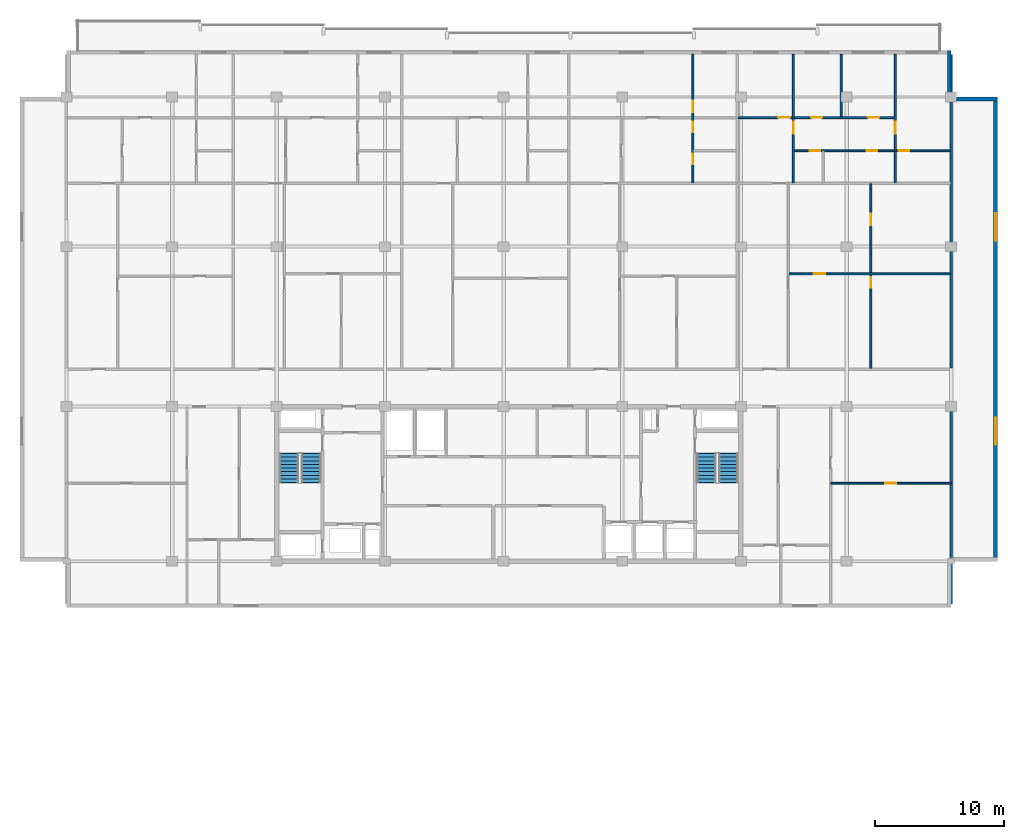
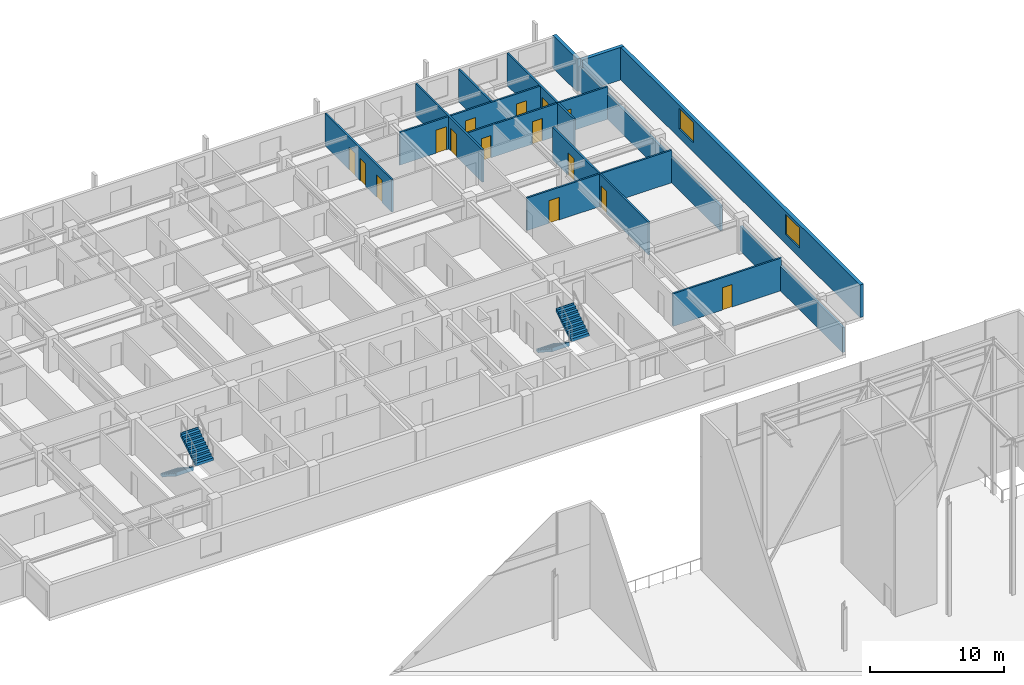
# One storey, part 39 of 42: 15 doors, 15 walls, 4 stair flights, 2 windows, 17 openings, 2 elements without a shape of their own.
"""IFC4 building model written with IfcOpenShell, lengths in metres."""

from ifc_helpers import new_model, si_unit, direction, frame, frame_2d, origin, place, context, subcontext, project, spatial, polyline, rectangle, outline, extrude, material, layer, layer_set, type_object, element, fill, aggregate, save


model = new_model("IFC4")

# Units and contexts
model_context = context("Model", 3, precision=1e-05, world=origin(), true_north=direction((0.0, 1.0)))
body_context = subcontext(model_context, "Body", "Model", "MODEL_VIEW")
ifc_project = project(units=[si_unit("LENGTHUNIT", "METRE"), si_unit("AREAUNIT", "SQUARE_METRE"), si_unit("VOLUMEUNIT", "CUBIC_METRE"), si_unit("PLANEANGLEUNIT", "RADIAN"), si_unit("MASSUNIT", "GRAM", prefix="KILO")], contexts=[model_context])

# Site, building, storey
site_placement = place(None, origin())
site = spatial("IfcSite", under=ifc_project, at=site_placement, CompositionType="ELEMENT")
building_placement = place(site_placement, origin())
building = spatial("IfcBuilding", under=site, at=building_placement, Name="Korimba Cascade Residences", CompositionType="ELEMENT")
storey_placement = place(building_placement, frame((0.0, 0.0, 207.60009765625)))
storey = spatial("IfcBuildingStorey", under=building, at=storey_placement, Name="L60", CompositionType="ELEMENT", Elevation=207.60009765625)

# Wall, openings, windows
ifc_material_1 = material(Name="Precast concrete C40/50", Category="concrete")
ifc_layer_1 = layer(ifc_material_1, 0.300048828125)
ifc_layer_set_1 = layer_set([ifc_layer_1], Name="Precast concrete C40/50")
wall_type_1 = type_object("IfcWallType", Name="EW-STONE-300", PredefinedType="STANDARD", material=ifc_layer_set_1)
wall_1_placement = place(storey_placement, frame((131.85009765625, 55.199951171875, 0.0), z_axis=(0.0, 0.0, 1.0), x_axis=(0.0, 1.0, 0.0)))
wall_1 = element("IfcWall", 1, at=wall_1_placement, inside=storey, type_object=wall_type_1, Name="L60 T1 Perimeter Stone Wall E03", PredefinedType="STANDARD", context=body_context, shape_type="SweptSolid", body=[
    extrude(rectangle(XDim=36.0, YDim=0.300048828125, at=frame_2d((18.0, 0.0))), origin(), (0.0, 0.0, 1.0), 2.969970703125),
])
opening_1_placement = place(wall_1_placement, frame((9.030029296875, 0.0, 0.85009765625)))
opening_1 = element("IfcOpeningElement", 2, at=opening_1_placement, cuts=wall_1, Name="Opening W-03", PredefinedType="OPENING", context=body_context, shape_type="SweptSolid", body=[
    extrude(rectangle(XDim=2.10009765625, YDim=1.85009765625, at=frame_2d((1.050048828125, 0.925048828125))), frame((0.0, 0.16015625, 0.0), z_axis=(0.0, -1.0, 0.0), x_axis=(1.0, 0.0, 0.0)), (0.0, 0.0, 1.0), 0.320068359375),
])
opening_2_placement = place(wall_1_placement, frame((24.8701171875, 0.0, 0.85009765625)))
opening_2 = element("IfcOpeningElement", 3, at=opening_2_placement, cuts=wall_1, Name="Opening W-03", PredefinedType="OPENING", context=body_context, shape_type="SweptSolid", body=[
    extrude(rectangle(XDim=2.10009765625, YDim=1.85009765625, at=frame_2d((1.050048828125, 0.925048828125))), frame((0.0, 0.16015625, 0.0), z_axis=(0.0, -1.0, 0.0), x_axis=(1.0, 0.0, 0.0)), (0.0, 0.0, 1.0), 0.320068359375),
])
ifc_material_2 = material(Name="Double-Glazed Aluminium Window", Category="aluminium")
window_type = type_object("IfcWindowType", Name="WIN-CRN-2100", PartitioningType="DOUBLE_PANEL_HORIZONTAL", PredefinedType="WINDOW", material=ifc_material_2)
window_1_placement = place(opening_1_placement, origin())
window_1 = element("IfcWindow", 4, at=window_1_placement, inside=storey, type_object=window_type, Name="L60 T1 End View Window 3.1", OverallHeight=1.85009765625, OverallWidth=2.10009765625, PartitioningType="DOUBLE_PANEL_HORIZONTAL", PredefinedType="WINDOW", context=body_context, shape_type="SweptSolid", body=[
    extrude(rectangle(XDim=2.10009765625, YDim=1.85009765625, at=frame_2d((1.050048828125, 0.925048828125))), frame((0.0, 0.030029296875, 0.0), z_axis=(0.0, -1.0, 0.0), x_axis=(1.0, 0.0, 0.0)), (0.0, 0.0, 1.0), 0.06005859375),
])
fill(opening_1, window_1)
window_2_placement = place(opening_2_placement, origin())
window_2 = element("IfcWindow", 5, at=window_2_placement, inside=storey, type_object=window_type, Name="L60 T1 End View Window 3.2", OverallHeight=1.85009765625, OverallWidth=2.10009765625, PartitioningType="DOUBLE_PANEL_HORIZONTAL", PredefinedType="WINDOW", context=body_context, shape_type="SweptSolid", body=[
    extrude(rectangle(XDim=2.10009765625, YDim=1.85009765625, at=frame_2d((1.050048828125, 0.925048828125))), frame((0.0, 0.030029296875, 0.0), z_axis=(0.0, -1.0, 0.0), x_axis=(1.0, 0.0, 0.0)), (0.0, 0.0, 1.0), 0.06005859375),
])
fill(opening_2, window_2)

# Walls
for number, where, z_axis, x_axis, name in (
    (6, (132.0, 91.050048828125, 0.0), (0.0, 0.0, 1.0), (-1.0, 0.0, 0.0), "L60 T1 Perimeter Stone Wall E04"),
    (7, (128.25, 91.199951171875, 0.0), (0.0, 0.0, 1.0), (0.0, 1.0, 0.0), "L60 T1 Perimeter Stone Wall E05"),
):
    element("IfcWall", number, at=place(storey_placement, frame(where, z_axis=z_axis, x_axis=x_axis)), inside=storey, type_object=wall_type_1, Name=name, PredefinedType="STANDARD", context=body_context, shape_type="SweptSolid", body=[
        extrude(rectangle(XDim=3.60009765625, YDim=0.300048828125, at=frame_2d((1.800048828125, 0.0))), origin(), (0.0, 0.0, 1.0), 2.969970703125),
    ])
ifc_layer_2 = layer(ifc_material_1, 0.199951171875)
ifc_layer_set_2 = layer_set([ifc_layer_2], Name="Precast concrete C40/50")
wall_type_2 = type_object("IfcWallType", Name="WAL-IT-200", PredefinedType="PARTITIONING", material=ifc_layer_set_2)
wall_2_placement = place(storey_placement, frame((128.39990234375, 51.89990234375, 0.0), z_axis=(0.0, 0.0, 1.0), x_axis=(0.0, 1.0, 0.0)))
element("IfcWall", 8, at=wall_2_placement, inside=storey, type_object=wall_type_2, Name="L60 Partition Wall WAL-L60-T1-FE-WR", PredefinedType="PARTITIONING", context=body_context, shape_type="SweptSolid", body=[
    extrude(rectangle(XDim=15.300048828125, YDim=0.199951171875, at=frame_2d((7.64990234375, 0.0))), origin(), (0.0, 0.0, 1.0), 2.277099609375),
])
wall_3_placement = place(storey_placement, frame((128.39990234375, 70.179931640625, 0.0), z_axis=(0.0, 0.0, 1.0), x_axis=(0.0, 1.0, 0.0)))
element("IfcWall", 9, at=wall_3_placement, inside=storey, type_object=wall_type_2, Name="L60 Partition Wall WAL-L60-T1-BNDWR", PredefinedType="PARTITIONING", context=body_context, shape_type="SweptSolid", body=[
    extrude(rectangle(XDim=24.320068359375, YDim=0.199951171875, at=frame_2d((12.16015625, 0.0))), origin(), (0.0, 0.0, 1.0), 2.277099609375),
])

# Wall, opening, door
ifc_material_3 = material(Name="Insulated Acoustic Stud Partition", Category="gypsum")
ifc_layer_3 = layer(ifc_material_3, 0.14990234375)
ifc_layer_set_3 = layer_set([ifc_layer_3], Name="Insulated Acoustic Stud Partition")
wall_type_3 = type_object("IfcWallType", Name="WAL-PART-150", PredefinedType="PARTITIONING", material=ifc_layer_set_3)
wall_4_placement = place(storey_placement, frame((119.050048828125, 61.25, 0.0), z_axis=(0.0, 0.0, 1.0), x_axis=(1.0, 0.0, 0.0)))
wall_4 = element("IfcWall", 10, at=wall_4_placement, inside=storey, type_object=wall_type_3, Name="L60 Partition Wall WAL-L60-T1-FE-STH", PredefinedType="PARTITIONING", context=body_context, shape_type="SweptSolid", body=[
    extrude(rectangle(XDim=9.349853515625, YDim=0.14990234375, at=frame_2d((4.6748046875, 0.0))), origin(), (0.0, 0.0, 1.0), 2.969970703125),
])
opening_3_placement = place(wall_4_placement, frame((4.2548828125, 0.0, 0.0)))
opening_3 = element("IfcOpeningElement", 11, at=opening_3_placement, cuts=wall_4, Name="Opening D-BT1", PredefinedType="OPENING", context=body_context, shape_type="SweptSolid", body=[
    extrude(rectangle(XDim=0.840087890625, YDim=2.0400390625, at=frame_2d((0.419921875, 1.02001953125))), frame((0.0, 0.0849609375, 0.0), z_axis=(0.0, -1.0, 0.0), x_axis=(1.0, 0.0, 0.0)), (0.0, 0.0, 1.0), 0.169921875),
])
ifc_material_4 = material(Name="Moisture-Resistant Bathroom Timber Door", Category="wood")
door_type_1 = type_object("IfcDoorType", Name="DR-INT-850", OperationType="NOTDEFINED", PredefinedType="DOOR", material=ifc_material_4)
door_1_placement = place(opening_3_placement, origin())
door_1 = element("IfcDoor", 12, at=door_1_placement, inside=storey, type_object=door_type_1, Name="L60-T1-FE Dressing Store Door", OperationType="SINGLE_SWING_LEFT", OverallHeight=2.0400390625, OverallWidth=0.840087890625, PredefinedType="DOOR", context=body_context, shape_type="SweptSolid", body=[
    extrude(rectangle(XDim=0.840087890625, YDim=2.0400390625, at=frame_2d((0.419921875, 1.02001953125))), frame((0.0, 0.02490234375, 0.0), z_axis=(0.0, -1.0, 0.0), x_axis=(1.0, 0.0, 0.0)), (0.0, 0.0, 1.0), 0.050048828125),
])
fill(opening_3, door_1)

# Wall, openings, doors
wall_5_placement = place(storey_placement, frame((108.3798828125, 84.5400390625, 0.0), z_axis=(0.0, 0.0, 1.0), x_axis=(0.0, 1.0, 0.0)))
wall_5 = element("IfcWall", 13, at=wall_5_placement, inside=storey, type_object=wall_type_3, Name="L60 Partition Wall WAL-L60-T1-U04-V1", PredefinedType="PARTITIONING", context=body_context, shape_type="SweptSolid", body=[
    extrude(rectangle(XDim=9.9599609375, YDim=0.14990234375, at=frame_2d((4.97998046875, 0.0))), origin(), (0.0, 0.0, 1.0), 2.969970703125),
])
opening_4_placement = place(wall_5_placement, frame((1.430419921875, 0.0, 0.0)))
opening_4 = element("IfcOpeningElement", 14, at=opening_4_placement, cuts=wall_5, Name="Opening D-BT1", PredefinedType="OPENING", context=body_context, shape_type="SweptSolid", body=[
    extrude(rectangle(XDim=0.840087890625, YDim=2.0400390625, at=frame_2d((0.419921875, 1.02001953125))), frame((0.0, 0.0849609375, 0.0), z_axis=(0.0, -1.0, 0.0), x_axis=(1.0, 0.0, 0.0)), (0.0, 0.0, 1.0), 0.169921875),
])
opening_5_placement = place(wall_5_placement, frame((3.919921875, 0.0, 0.0)))
opening_5 = element("IfcOpeningElement", 15, at=opening_5_placement, cuts=wall_5, Name="Opening D-BT1", PredefinedType="OPENING", context=body_context, shape_type="SweptSolid", body=[
    extrude(rectangle(XDim=0.840087890625, YDim=2.0400390625, at=frame_2d((0.419921875, 1.02001953125))), frame((0.0, 0.0849609375, 0.0), z_axis=(0.0, -1.0, 0.0), x_axis=(1.0, 0.0, 0.0)), (0.0, 0.0, 1.0), 0.169921875),
])
opening_6_placement = place(wall_5_placement, frame((5.47998046875, 0.0, 0.0)))
opening_6 = element("IfcOpeningElement", 16, at=opening_6_placement, cuts=wall_5, Name="Opening D-IN2", PredefinedType="OPENING", context=body_context, shape_type="SweptSolid", body=[
    extrude(rectangle(XDim=0.8798828125, YDim=2.06005859375, at=frame_2d((0.43994140625, 1.030029296875))), frame((0.0, 0.0849609375, 0.0), z_axis=(0.0, -1.0, 0.0), x_axis=(1.0, 0.0, 0.0)), (0.0, 0.0, 1.0), 0.169921875),
])
door_2_placement = place(opening_4_placement, origin())
door_2 = element("IfcDoor", 17, at=door_2_placement, inside=storey, type_object=door_type_1, Name="L60-T1-U04 Bathroom Door", OperationType="SINGLE_SWING_RIGHT", OverallHeight=2.0400390625, OverallWidth=0.840087890625, PredefinedType="DOOR", context=body_context, shape_type="SweptSolid", body=[
    extrude(rectangle(XDim=0.840087890625, YDim=2.0400390625, at=frame_2d((0.419921875, 1.02001953125))), frame((0.0, 0.02490234375, 0.0), z_axis=(0.0, -1.0, 0.0), x_axis=(1.0, 0.0, 0.0)), (0.0, 0.0, 1.0), 0.050048828125),
])
fill(opening_4, door_2)
door_3_placement = place(opening_5_placement, origin())
door_3 = element("IfcDoor", 18, at=door_3_placement, inside=storey, type_object=door_type_1, Name="L60-T1-U04 Laundry Door", OperationType="SINGLE_SWING_LEFT", OverallHeight=2.0400390625, OverallWidth=0.840087890625, PredefinedType="DOOR", context=body_context, shape_type="SweptSolid", body=[
    extrude(rectangle(XDim=0.840087890625, YDim=2.0400390625, at=frame_2d((0.419921875, 1.02001953125))), frame((0.0, 0.02490234375, 0.0), z_axis=(0.0, -1.0, 0.0), x_axis=(1.0, 0.0, 0.0)), (0.0, 0.0, 1.0), 0.050048828125),
])
fill(opening_5, door_3)
ifc_material_5 = material(Name="Acoustic Timber Bedroom Door", Category="wood")
door_type_2 = type_object("IfcDoorType", Name="DR-INT-880", OperationType="NOTDEFINED", PredefinedType="DOOR", material=ifc_material_5)
door_4_placement = place(opening_6_placement, origin())
door_4 = element("IfcDoor", 19, at=door_4_placement, inside=storey, type_object=door_type_2, Name="L60-T1-U04 Bedroom 1 Door", OperationType="SINGLE_SWING_RIGHT", OverallHeight=2.06005859375, OverallWidth=0.8798828125, PredefinedType="DOOR", context=body_context, shape_type="SweptSolid", body=[
    extrude(rectangle(XDim=0.8798828125, YDim=2.06005859375, at=frame_2d((0.43994140625, 1.030029296875))), frame((0.0, 0.02490234375, 0.0), z_axis=(0.0, -1.0, 0.0), x_axis=(1.0, 0.0, 0.0)), (0.0, 0.0, 1.0), 0.050048828125),
])
fill(opening_6, door_4)

wall_6_placement = place(storey_placement, frame((122.175048828125, 70.159912109375, 0.0), z_axis=(0.0, 0.0, 1.0), x_axis=(0.0, 1.0, 0.0)))
wall_6 = element("IfcWall", 20, at=wall_6_placement, inside=storey, type_object=wall_type_3, Name="L60 Partition Wall WAL-L60-T1-U05-FMV", PredefinedType="PARTITIONING", context=body_context, shape_type="SweptSolid", body=[
    extrude(rectangle(XDim=14.300048828125, YDim=0.14990234375, at=frame_2d((7.14990234375, 0.0))), origin(), (0.0, 0.0, 1.0), 2.969970703125),
])
opening_7_placement = place(wall_6_placement, frame((6.239990234375, 0.0, 0.0)))
opening_7 = element("IfcOpeningElement", 21, at=opening_7_placement, cuts=wall_6, Name="Opening D-BT1", PredefinedType="OPENING", context=body_context, shape_type="SweptSolid", body=[
    extrude(rectangle(XDim=0.840087890625, YDim=2.0400390625, at=frame_2d((0.419921875, 1.02001953125))), frame((0.0, 0.0849609375, 0.0), z_axis=(0.0, -1.0, 0.0), x_axis=(1.0, 0.0, 0.0)), (0.0, 0.0, 1.0), 0.169921875),
])
opening_8_placement = place(wall_6_placement, frame((11.093505859375, 0.0, 0.0)))
opening_8 = element("IfcOpeningElement", 22, at=opening_8_placement, cuts=wall_6, Name="Opening D-IN2", PredefinedType="OPENING", context=body_context, shape_type="SweptSolid", body=[
    extrude(rectangle(XDim=0.8798828125, YDim=2.06005859375, at=frame_2d((0.43994140625, 1.030029296875))), frame((0.0, 0.0849609375, 0.0), z_axis=(0.0, -1.0, 0.0), x_axis=(1.0, 0.0, 0.0)), (0.0, 0.0, 1.0), 0.169921875),
])
door_5_placement = place(opening_7_placement, origin())
door_5 = element("IfcDoor", 23, at=door_5_placement, inside=storey, type_object=door_type_1, Name="L60-T1-U05 Wardrobe Door", OperationType="SINGLE_SWING_LEFT", OverallHeight=2.0400390625, OverallWidth=0.840087890625, PredefinedType="DOOR", context=body_context, shape_type="SweptSolid", body=[
    extrude(rectangle(XDim=0.840087890625, YDim=2.0400390625, at=frame_2d((0.419921875, 1.02001953125))), frame((0.0, 0.02490234375, 0.0), z_axis=(0.0, -1.0, 0.0), x_axis=(1.0, 0.0, 0.0)), (0.0, 0.0, 1.0), 0.050048828125),
])
fill(opening_7, door_5)
door_6_placement = place(opening_8_placement, origin())
door_6 = element("IfcDoor", 24, at=door_6_placement, inside=storey, type_object=door_type_2, Name="L60-T1-U05 Music Lounge Door", OperationType="SINGLE_SWING_RIGHT", OverallHeight=2.06005859375, OverallWidth=0.8798828125, PredefinedType="DOOR", context=body_context, shape_type="SweptSolid", body=[
    extrude(rectangle(XDim=0.8798828125, YDim=2.06005859375, at=frame_2d((0.43994140625, 1.030029296875))), frame((0.0, 0.02490234375, 0.0), z_axis=(0.0, -1.0, 0.0), x_axis=(1.0, 0.0, 0.0)), (0.0, 0.0, 1.0), 0.050048828125),
])
fill(opening_8, door_6)

# Wall, opening, door
wall_7_placement = place(storey_placement, frame((115.830078125, 77.489990234375, 0.0), z_axis=(0.0, 0.0, 1.0), x_axis=(1.0, 0.0, 0.0)))
wall_7 = element("IfcWall", 25, at=wall_7_placement, inside=storey, type_object=wall_type_3, Name="L60 Partition Wall WAL-L60-T1-U05-FMH", PredefinedType="PARTITIONING", context=body_context, shape_type="SweptSolid", body=[
    extrude(rectangle(XDim=12.489990234375, YDim=0.14990234375, at=frame_2d((6.2451171875, 0.0))), origin(), (0.0, 0.0, 1.0), 2.969970703125),
])
opening_9_placement = place(wall_7_placement, frame((1.91650390625, 0.0, 0.0)))
opening_9 = element("IfcOpeningElement", 26, at=opening_9_placement, cuts=wall_7, Name="Opening D-IN2", PredefinedType="OPENING", context=body_context, shape_type="SweptSolid", body=[
    extrude(rectangle(XDim=0.8798828125, YDim=2.06005859375, at=frame_2d((0.43994140625, 1.030029296875))), frame((0.0, 0.0849609375, 0.0), z_axis=(0.0, -1.0, 0.0), x_axis=(1.0, 0.0, 0.0)), (0.0, 0.0, 1.0), 0.169921875),
])
door_7_placement = place(opening_9_placement, origin())
door_7 = element("IfcDoor", 27, at=door_7_placement, inside=storey, type_object=door_type_2, Name="L60-T1-U05 Library Salon Door", OperationType="SINGLE_SWING_LEFT", OverallHeight=2.06005859375, OverallWidth=0.8798828125, PredefinedType="DOOR", context=body_context, shape_type="SweptSolid", body=[
    extrude(rectangle(XDim=0.8798828125, YDim=2.06005859375, at=frame_2d((0.43994140625, 1.030029296875))), frame((0.0, 0.02490234375, 0.0), z_axis=(0.0, -1.0, 0.0), x_axis=(1.0, 0.0, 0.0)), (0.0, 0.0, 1.0), 0.050048828125),
])
fill(opening_9, door_7)

# Wall
wall_8_placement = place(storey_placement, frame((119.8701171875, 89.679931640625, 0.0), z_axis=(0.0, 0.0, 1.0), x_axis=(0.0, 1.0, 0.0)))
element("IfcWall", 28, at=wall_8_placement, inside=storey, type_object=wall_type_3, Name="L60 Partition Wall WAL-L60-T1-U05-VSTD", PredefinedType="PARTITIONING", context=body_context, shape_type="SweptSolid", body=[
    extrude(rectangle(XDim=4.820068359375, YDim=0.14990234375, at=frame_2d((2.41015625, 0.0))), origin(), (0.0, 0.0, 1.0), 2.969970703125),
])

# Wall, opening, door
wall_9_placement = place(storey_placement, frame((116.169921875, 84.5400390625, 0.0), z_axis=(0.0, 0.0, 1.0), x_axis=(0.0, 1.0, 0.0)))
wall_9 = element("IfcWall", 29, at=wall_9_placement, inside=storey, type_object=wall_type_3, Name="L60 Partition Wall WAL-L60-T1-U05-V1", PredefinedType="PARTITIONING", context=body_context, shape_type="SweptSolid", body=[
    extrude(rectangle(XDim=9.9599609375, YDim=0.14990234375, at=frame_2d((4.97998046875, 0.0))), origin(), (0.0, 0.0, 1.0), 2.969970703125),
])
opening_10_placement = place(wall_9_placement, frame((3.820068359375, 0.0, 0.0)))
opening_10 = element("IfcOpeningElement", 30, at=opening_10_placement, cuts=wall_9, Name="Opening D-IN1", PredefinedType="OPENING", context=body_context, shape_type="SweptSolid", body=[
    extrude(rectangle(XDim=0.919921875, YDim=2.080078125, at=frame_2d((0.4599609375, 1.0400390625))), frame((0.0, 0.0849609375, 0.0), z_axis=(0.0, -1.0, 0.0), x_axis=(1.0, 0.0, 0.0)), (0.0, 0.0, 1.0), 0.169921875),
])
ifc_material_6 = material(Name="Acoustic Timber Living Door", Category="wood")
door_type_3 = type_object("IfcDoorType", Name="DR-INT-920", OperationType="NOTDEFINED", PredefinedType="DOOR", material=ifc_material_6)
door_8_placement = place(opening_10_placement, origin())
door_8 = element("IfcDoor", 31, at=door_8_placement, inside=storey, type_object=door_type_3, Name="L60-T1-U05 Hallway Door", OperationType="SINGLE_SWING_LEFT", OverallHeight=2.080078125, OverallWidth=0.919921875, PredefinedType="DOOR", context=body_context, shape_type="SweptSolid", body=[
    extrude(rectangle(XDim=0.919921875, YDim=2.080078125, at=frame_2d((0.4599609375, 1.0400390625))), frame((0.0, 0.02490234375, 0.0), z_axis=(0.0, -1.0, 0.0), x_axis=(1.0, 0.0, 0.0)), (0.0, 0.0, 1.0), 0.050048828125),
])
fill(opening_10, door_8)

# Wall
wall_10_placement = place(storey_placement, frame((124.070068359375, 84.5400390625, 0.0), z_axis=(0.0, 0.0, 1.0), x_axis=(0.0, 1.0, 0.0)))
element("IfcWall", 32, at=wall_10_placement, inside=storey, type_object=wall_type_3, Name="L60 Partition Wall WAL-L60-T1-U05-VBATH", PredefinedType="PARTITIONING", context=body_context, shape_type="SweptSolid", body=[
    extrude(rectangle(XDim=2.469970703125, YDim=0.14990234375, at=frame_2d((1.23486328125, 0.0))), origin(), (0.0, 0.0, 1.0), 2.969970703125),
])

# Wall, opening, door
wall_11_placement = place(storey_placement, frame((124.070068359375, 87.050048828125, 0.0), z_axis=(0.0, 0.0, 1.0), x_axis=(0.0, 1.0, 0.0)))
wall_11 = element("IfcWall", 33, at=wall_11_placement, inside=storey, type_object=wall_type_3, Name="L60 Partition Wall WAL-L60-T1-U05-V2FULL", PredefinedType="PARTITIONING", context=body_context, shape_type="SweptSolid", body=[
    extrude(rectangle(XDim=7.449951171875, YDim=0.14990234375, at=frame_2d((3.72509765625, 0.0))), origin(), (0.0, 0.0, 1.0), 2.969970703125),
])
opening_11_placement = place(wall_11_placement, frame((1.31005859375, 0.0, 0.0)))
opening_11 = element("IfcOpeningElement", 34, at=opening_11_placement, cuts=wall_11, Name="Opening D-IN1", PredefinedType="OPENING", context=body_context, shape_type="SweptSolid", body=[
    extrude(rectangle(XDim=0.919921875, YDim=2.080078125, at=frame_2d((0.4599609375, 1.0400390625))), frame((0.0, 0.0849609375, 0.0), z_axis=(0.0, -1.0, 0.0), x_axis=(1.0, 0.0, 0.0)), (0.0, 0.0, 1.0), 0.169921875),
])
door_9_placement = place(opening_11_placement, origin())
door_9 = element("IfcDoor", 35, at=door_9_placement, inside=storey, type_object=door_type_3, Name="L60-T1-U05 Master Bedroom Door", OperationType="SINGLE_SWING_RIGHT", OverallHeight=2.080078125, OverallWidth=0.919921875, PredefinedType="DOOR", context=body_context, shape_type="SweptSolid", body=[
    extrude(rectangle(XDim=0.919921875, YDim=2.080078125, at=frame_2d((0.4599609375, 1.0400390625))), frame((0.0, 0.02490234375, 0.0), z_axis=(0.0, -1.0, 0.0), x_axis=(1.0, 0.0, 0.0)), (0.0, 0.0, 1.0), 0.050048828125),
])
fill(opening_11, door_9)

# Wall, openings, doors
wall_12_placement = place(storey_placement, frame((116.2099609375, 87.030029296875, 0.0), z_axis=(0.0, 0.0, 1.0), x_axis=(1.0, 0.0, 0.0)))
wall_12 = element("IfcWall", 36, at=wall_12_placement, inside=storey, type_object=wall_type_3, Name="L60 Partition Wall WAL-L60-T1-U05-HWALL", PredefinedType="PARTITIONING", context=body_context, shape_type="SweptSolid", body=[
    extrude(rectangle(XDim=12.110107421875, YDim=0.14990234375, at=frame_2d((6.05517578125, 0.0))), origin(), (0.0, 0.0, 1.0), 2.969970703125),
])
opening_12_placement = place(wall_12_placement, frame((1.2099609375, 0.0, 0.0)))
opening_12 = element("IfcOpeningElement", 37, at=opening_12_placement, cuts=wall_12, Name="Opening D-BT1", PredefinedType="OPENING", context=body_context, shape_type="SweptSolid", body=[
    extrude(rectangle(XDim=0.840087890625, YDim=2.0400390625, at=frame_2d((0.419921875, 1.02001953125))), frame((0.0, 0.0849609375, 0.0), z_axis=(0.0, -1.0, 0.0), x_axis=(1.0, 0.0, 0.0)), (0.0, 0.0, 1.0), 0.169921875),
])
opening_13_placement = place(wall_12_placement, frame((5.635009765625, 0.0, 0.0)))
opening_13 = element("IfcOpeningElement", 38, at=opening_13_placement, cuts=wall_12, Name="Opening D-BT1", PredefinedType="OPENING", context=body_context, shape_type="SweptSolid", body=[
    extrude(rectangle(XDim=0.840087890625, YDim=2.0400390625, at=frame_2d((0.419921875, 1.02001953125))), frame((0.0, 0.0849609375, 0.0), z_axis=(0.0, -1.0, 0.0), x_axis=(1.0, 0.0, 0.0)), (0.0, 0.0, 1.0), 0.169921875),
])
opening_14_placement = place(wall_12_placement, frame((8.110107421875, 0.0, 0.0)))
opening_14 = element("IfcOpeningElement", 39, at=opening_14_placement, cuts=wall_12, Name="Opening D-BT1", PredefinedType="OPENING", context=body_context, shape_type="SweptSolid", body=[
    extrude(rectangle(XDim=0.840087890625, YDim=2.0400390625, at=frame_2d((0.419921875, 1.02001953125))), frame((0.0, 0.0849609375, 0.0), z_axis=(0.0, -1.0, 0.0), x_axis=(1.0, 0.0, 0.0)), (0.0, 0.0, 1.0), 0.169921875),
])
door_10_placement = place(opening_12_placement, origin())
door_10 = element("IfcDoor", 40, at=door_10_placement, inside=storey, type_object=door_type_1, Name="L60-T1-U05 Family Bathroom Door", OperationType="SINGLE_SWING_LEFT", OverallHeight=2.0400390625, OverallWidth=0.840087890625, PredefinedType="DOOR", context=body_context, shape_type="SweptSolid", body=[
    extrude(rectangle(XDim=0.840087890625, YDim=2.0400390625, at=frame_2d((0.419921875, 1.02001953125))), frame((0.0, 0.02490234375, 0.0), z_axis=(0.0, -1.0, 0.0), x_axis=(1.0, 0.0, 0.0)), (0.0, 0.0, 1.0), 0.050048828125),
])
fill(opening_12, door_10)
door_11_placement = place(opening_13_placement, origin())
door_11 = element("IfcDoor", 41, at=door_11_placement, inside=storey, type_object=door_type_1, Name="L60-T1-U05 Dressing Room Door", OperationType="SINGLE_SWING_RIGHT", OverallHeight=2.0400390625, OverallWidth=0.840087890625, PredefinedType="DOOR", context=body_context, shape_type="SweptSolid", body=[
    extrude(rectangle(XDim=0.840087890625, YDim=2.0400390625, at=frame_2d((0.419921875, 1.02001953125))), frame((0.0, 0.02490234375, 0.0), z_axis=(0.0, -1.0, 0.0), x_axis=(1.0, 0.0, 0.0)), (0.0, 0.0, 1.0), 0.050048828125),
])
fill(opening_13, door_11)
door_12_placement = place(opening_14_placement, origin())
door_12 = element("IfcDoor", 42, at=door_12_placement, inside=storey, type_object=door_type_1, Name="L60-T1-U05 En-Suite Door", OperationType="SINGLE_SWING_LEFT", OverallHeight=2.0400390625, OverallWidth=0.840087890625, PredefinedType="DOOR", context=body_context, shape_type="SweptSolid", body=[
    extrude(rectangle(XDim=0.840087890625, YDim=2.0400390625, at=frame_2d((0.419921875, 1.02001953125))), frame((0.0, 0.02490234375, 0.0), z_axis=(0.0, -1.0, 0.0), x_axis=(1.0, 0.0, 0.0)), (0.0, 0.0, 1.0), 0.050048828125),
])
fill(opening_14, door_12)

wall_13_placement = place(storey_placement, frame((111.8798828125, 89.60009765625, 0.0), z_axis=(0.0, 0.0, 1.0), x_axis=(1.0, 0.0, 0.0)))
wall_13 = element("IfcWall", 43, at=wall_13_placement, inside=storey, type_object=wall_type_3, Name="L60 Partition Wall WAL-L60-T1-U05-HZ", PredefinedType="PARTITIONING", context=body_context, shape_type="SweptSolid", body=[
    extrude(rectangle(XDim=12.190185546875, YDim=0.14990234375, at=frame_2d((6.09521484375, 0.0))), origin(), (0.0, 0.0, 1.0), 2.969970703125),
])
opening_15_placement = place(wall_13_placement, frame((3.10009765625, 0.0, 0.0)))
opening_15 = element("IfcOpeningElement", 44, at=opening_15_placement, cuts=wall_13, Name="Opening D-IN0", PredefinedType="OPENING", context=body_context, shape_type="SweptSolid", body=[
    extrude(rectangle(XDim=0.93994140625, YDim=2.10009765625, at=frame_2d((0.469970703125, 1.050048828125))), frame((0.0, 0.0849609375, 0.0), z_axis=(0.0, -1.0, 0.0), x_axis=(1.0, 0.0, 0.0)), (0.0, 0.0, 1.0), 0.169921875),
])
opening_16_placement = place(wall_13_placement, frame((5.655029296875, 0.0, 0.0)))
opening_16 = element("IfcOpeningElement", 45, at=opening_16_placement, cuts=wall_13, Name="Opening D-IN2", PredefinedType="OPENING", context=body_context, shape_type="SweptSolid", body=[
    extrude(rectangle(XDim=0.8798828125, YDim=2.06005859375, at=frame_2d((0.43994140625, 1.030029296875))), frame((0.0, 0.0849609375, 0.0), z_axis=(0.0, -1.0, 0.0), x_axis=(1.0, 0.0, 0.0)), (0.0, 0.0, 1.0), 0.169921875),
])
opening_17_placement = place(wall_13_placement, frame((10.05322265625, 0.0, 0.0)))
opening_17 = element("IfcOpeningElement", 46, at=opening_17_placement, cuts=wall_13, Name="Opening D-IN2", PredefinedType="OPENING", context=body_context, shape_type="SweptSolid", body=[
    extrude(rectangle(XDim=0.8798828125, YDim=2.06005859375, at=frame_2d((0.43994140625, 1.030029296875))), frame((0.0, 0.0849609375, 0.0), z_axis=(0.0, -1.0, 0.0), x_axis=(1.0, 0.0, 0.0)), (0.0, 0.0, 1.0), 0.169921875),
])
door_13_placement = place(opening_16_placement, origin())
door_13 = element("IfcDoor", 47, at=door_13_placement, inside=storey, type_object=door_type_2, Name="L60-T1-U05 Bedroom 2 Door", OperationType="SINGLE_SWING_RIGHT", OverallHeight=2.06005859375, OverallWidth=0.8798828125, PredefinedType="DOOR", context=body_context, shape_type="SweptSolid", body=[
    extrude(rectangle(XDim=0.8798828125, YDim=2.06005859375, at=frame_2d((0.43994140625, 1.030029296875))), frame((0.0, 0.02490234375, 0.0), z_axis=(0.0, -1.0, 0.0), x_axis=(1.0, 0.0, 0.0)), (0.0, 0.0, 1.0), 0.050048828125),
])
fill(opening_16, door_13)
door_14_placement = place(opening_17_placement, origin())
door_14 = element("IfcDoor", 48, at=door_14_placement, inside=storey, type_object=door_type_2, Name="L60-T1-U05 Study Door", OperationType="SINGLE_SWING_LEFT", OverallHeight=2.06005859375, OverallWidth=0.8798828125, PredefinedType="DOOR", context=body_context, shape_type="SweptSolid", body=[
    extrude(rectangle(XDim=0.8798828125, YDim=2.06005859375, at=frame_2d((0.43994140625, 1.030029296875))), frame((0.0, 0.02490234375, 0.0), z_axis=(0.0, -1.0, 0.0), x_axis=(1.0, 0.0, 0.0)), (0.0, 0.0, 1.0), 0.050048828125),
])
fill(opening_17, door_14)
ifc_material_7 = material(Name="Acoustic Timber Living Archway Door", Category="wood")
door_type_4 = type_object("IfcDoorType", Name="DR-INT-950", OperationType="NOTDEFINED", PredefinedType="DOOR", material=ifc_material_7)
door_15_placement = place(opening_15_placement, origin())
door_15 = element("IfcDoor", 49, at=door_15_placement, inside=storey, type_object=door_type_4, Name="L60-T1-U05 Living Room Door", OperationType="SINGLE_SWING_LEFT", OverallHeight=2.10009765625, OverallWidth=0.93994140625, PredefinedType="DOOR", context=body_context, shape_type="SweptSolid", body=[
    extrude(rectangle(XDim=0.93994140625, YDim=2.10009765625, at=frame_2d((0.469970703125, 1.050048828125))), frame((0.0, 0.02490234375, 0.0), z_axis=(0.0, -1.0, 0.0), x_axis=(1.0, 0.0, 0.0)), (0.0, 0.0, 1.0), 0.050048828125),
])
fill(opening_15, door_15)

# Stair, stair flights
ifc_material_8 = material(Name="Concrete C50/60", Category="concrete")
stair_type_1 = type_object("IfcStairType", Name="STR-W1-18R-1806", PredefinedType="HALF_TURN_STAIR", material=ifc_material_8)
stair_1_placement = place(storey_placement, origin())
stair_1 = element("IfcStair", 50, at=stair_1_placement, inside=storey, type_object=stair_type_1, Name="L60 Tower 1 West Fire Stair ST-W1", PredefinedType="HALF_TURN_STAIR")
stair_flight_type = type_object("IfcStairFlightType", Name="STF-DL-18R-1806-1520", PredefinedType="STRAIGHT", material=ifc_material_8)
stair_flight_1_placement = place(storey_placement, frame((77.06005859375, 63.550048828125, 0.0), z_axis=(0.0, 0.0, 1.0), x_axis=(0.0, -1.0, 0.0)))
stair_flight_1 = element("IfcStairFlight", 51, at=stair_flight_1_placement, type_object=stair_flight_type, Name="ST-W1 flight 1", NumberOfRisers=9, NumberOfTreads=8, PredefinedType="STRAIGHT", RiserHeight=0.180555556, TreadLength=0.28, context=body_context, shape_type="SweptSolid", body=[
    extrude(outline(polyline([(-0.0380859375, 0.0), (0.0, 0.1806640625), (0.280029296875, 0.1806640625), (0.280029296875, 0.361083984375), (0.56005859375, 0.361083984375), (0.56005859375, 0.541748046875), (0.840087890625, 0.541748046875), (0.840087890625, 0.72216796875), (1.1201171875, 0.72216796875), (1.1201171875, 0.90283203125), (1.39990234375, 0.90283203125), (1.39990234375, 1.083251953125), (1.679931640625, 1.083251953125), (1.679931640625, 1.263916015625), (1.9599609375, 1.263916015625), (1.9599609375, 1.4443359375), (2.239990234375, 1.4443359375), (2.239990234375, 1.625), (2.278076171875, 1.625), (2.278076171875, 1.26611328125), (0.276611328125, 0.0), (0.276611328125, -0.0380859375), (-0.0380859375, -0.0380859375), (-0.0380859375, 0.0)])), frame((0.0, 0.760009765625, 0.0), z_axis=(0.0, -1.0, 0.0), x_axis=(1.0, 0.0, 0.0)), (0.0, 0.0, 1.0), 1.52001953125),
])
stair_flight_2_placement = place(storey_placement, frame((78.780029296875, 61.31005859375, 1.625), z_axis=(0.0, 0.0, 1.0), x_axis=(0.0, 1.0, 0.0)))
stair_flight_2 = element("IfcStairFlight", 52, at=stair_flight_2_placement, type_object=stair_flight_type, Name="ST-W1 flight 2", NumberOfRisers=9, NumberOfTreads=8, PredefinedType="STRAIGHT", RiserHeight=0.180555556, TreadLength=0.28, context=body_context, shape_type="SweptSolid", body=[
    extrude(outline(polyline([(-0.0380859375, 0.0), (0.0, 0.1806640625), (0.280029296875, 0.1806640625), (0.280029296875, 0.361083984375), (0.56005859375, 0.361083984375), (0.56005859375, 0.541748046875), (0.840087890625, 0.541748046875), (0.840087890625, 0.72216796875), (1.1201171875, 0.72216796875), (1.1201171875, 0.90283203125), (1.39990234375, 0.90283203125), (1.39990234375, 1.083251953125), (1.679931640625, 1.083251953125), (1.679931640625, 1.263916015625), (1.9599609375, 1.263916015625), (1.9599609375, 1.4443359375), (2.239990234375, 1.4443359375), (2.239990234375, 1.625), (2.278076171875, 1.625), (2.278076171875, 1.26611328125), (0.276611328125, 0.0), (0.276611328125, -0.0380859375), (-0.0380859375, -0.0380859375), (-0.0380859375, 0.0)])), frame((0.0, 0.760009765625, 0.0), z_axis=(0.0, -1.0, 0.0), x_axis=(1.0, 0.0, 0.0)), (0.0, 0.0, 1.0), 1.52001953125),
])
aggregate(stair_1, [stair_flight_1, stair_flight_2])

stair_type_2 = type_object("IfcStairType", Name="STR-W2-18R-1806", PredefinedType="HALF_TURN_STAIR", material=ifc_material_8)
stair_2_placement = place(storey_placement, origin())
stair_2 = element("IfcStair", 53, at=stair_2_placement, inside=storey, type_object=stair_type_2, Name="L60 Tower 1 East Fire Stair ST-W2", PredefinedType="HALF_TURN_STAIR")
stair_flight_3_placement = place(storey_placement, frame((109.419921875, 63.550048828125, 0.0), z_axis=(0.0, 0.0, 1.0), x_axis=(0.0, -1.0, 0.0)))
stair_flight_3 = element("IfcStairFlight", 54, at=stair_flight_3_placement, type_object=stair_flight_type, Name="ST-W2 flight 1", NumberOfRisers=9, NumberOfTreads=8, PredefinedType="STRAIGHT", RiserHeight=0.180555556, TreadLength=0.28, context=body_context, shape_type="SweptSolid", body=[
    extrude(outline(polyline([(-0.0380859375, 0.0), (0.0, 0.1806640625), (0.280029296875, 0.1806640625), (0.280029296875, 0.361083984375), (0.56005859375, 0.361083984375), (0.56005859375, 0.541748046875), (0.840087890625, 0.541748046875), (0.840087890625, 0.72216796875), (1.1201171875, 0.72216796875), (1.1201171875, 0.90283203125), (1.39990234375, 0.90283203125), (1.39990234375, 1.083251953125), (1.679931640625, 1.083251953125), (1.679931640625, 1.263916015625), (1.9599609375, 1.263916015625), (1.9599609375, 1.4443359375), (2.239990234375, 1.4443359375), (2.239990234375, 1.625), (2.278076171875, 1.625), (2.278076171875, 1.26611328125), (0.276611328125, 0.0), (0.276611328125, -0.0380859375), (-0.0380859375, -0.0380859375), (-0.0380859375, 0.0)])), frame((0.0, 0.760009765625, 0.0), z_axis=(0.0, -1.0, 0.0), x_axis=(1.0, 0.0, 0.0)), (0.0, 0.0, 1.0), 1.52001953125),
])
stair_flight_4_placement = place(storey_placement, frame((111.139892578125, 61.31005859375, 1.625), z_axis=(0.0, 0.0, 1.0), x_axis=(0.0, 1.0, 0.0)))
stair_flight_4 = element("IfcStairFlight", 55, at=stair_flight_4_placement, type_object=stair_flight_type, Name="ST-W2 flight 2", NumberOfRisers=9, NumberOfTreads=8, PredefinedType="STRAIGHT", RiserHeight=0.180555556, TreadLength=0.28, context=body_context, shape_type="SweptSolid", body=[
    extrude(outline(polyline([(-0.0380859375, 0.0), (0.0, 0.1806640625), (0.280029296875, 0.1806640625), (0.280029296875, 0.361083984375), (0.56005859375, 0.361083984375), (0.56005859375, 0.541748046875), (0.840087890625, 0.541748046875), (0.840087890625, 0.72216796875), (1.1201171875, 0.72216796875), (1.1201171875, 0.90283203125), (1.39990234375, 0.90283203125), (1.39990234375, 1.083251953125), (1.679931640625, 1.083251953125), (1.679931640625, 1.263916015625), (1.9599609375, 1.263916015625), (1.9599609375, 1.4443359375), (2.239990234375, 1.4443359375), (2.239990234375, 1.625), (2.278076171875, 1.625), (2.278076171875, 1.26611328125), (0.276611328125, 0.0), (0.276611328125, -0.0380859375), (-0.0380859375, -0.0380859375), (-0.0380859375, 0.0)])), frame((0.0, 0.760009765625, 0.0), z_axis=(0.0, -1.0, 0.0), x_axis=(1.0, 0.0, 0.0)), (0.0, 0.0, 1.0), 1.52001953125),
])
aggregate(stair_2, [stair_flight_3, stair_flight_4])

save(model, "model.ifc")
